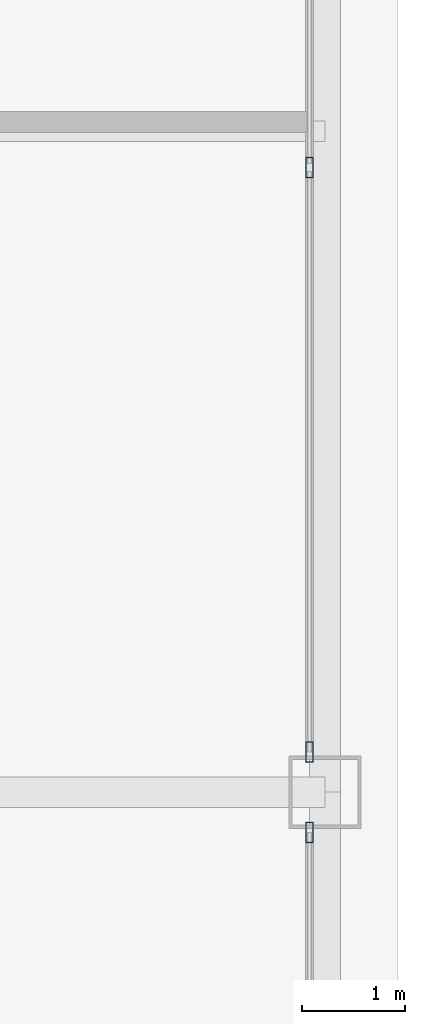
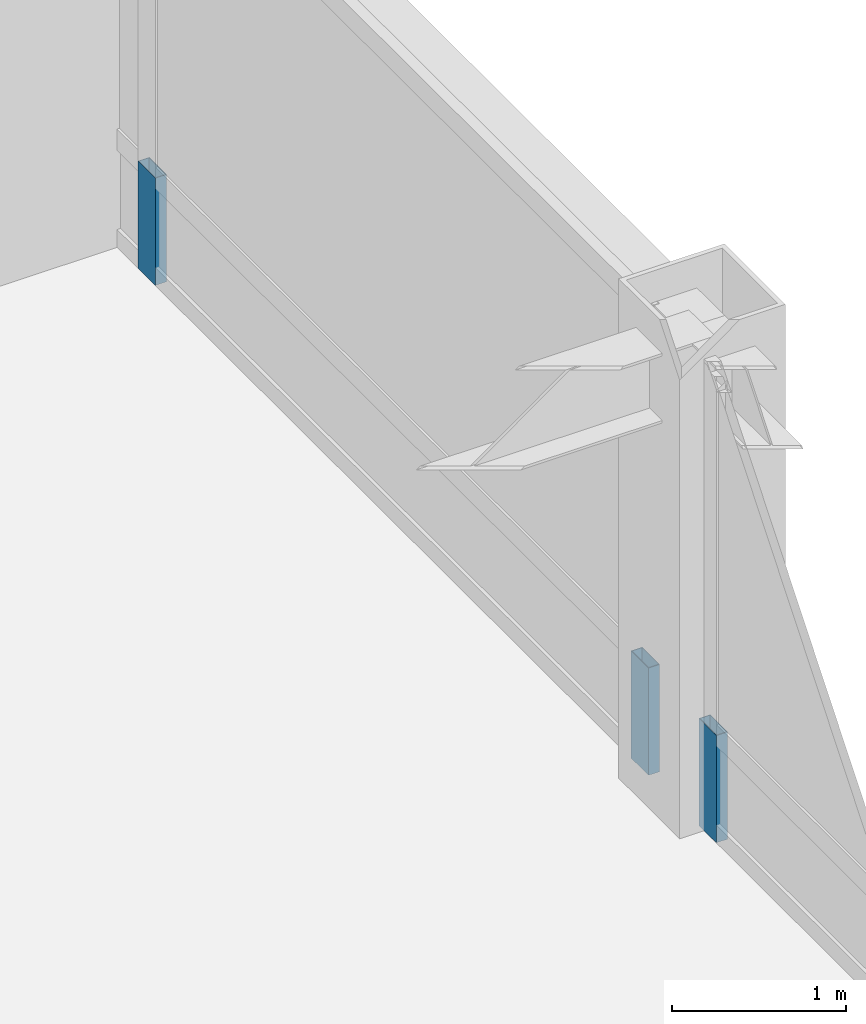
# One storey, part 23 of 33: 3 members, 2 elements without a shape of their own.
"""IFC4 building model written with IfcOpenShell, lengths in metres."""

from ifc_helpers import new_model, si_unit, direction, frame, origin, origin_2d, place, context, subcontext, project, spatial, hollow_rectangle, extrude, source, transform, mapped, material, layer, layer_set, material_profile, profile_set, type_object, element, aggregate, save


model = new_model("IFC4")

# Units and contexts
model_context = context("Model", 3, precision=1e-05, world=origin(), true_north=direction((0.0, 1.0)))
body_context = subcontext(model_context, "Body", "Model", "MODEL_VIEW")
ifc_project = project(units=[si_unit("LENGTHUNIT", "METRE"), si_unit("AREAUNIT", "SQUARE_METRE"), si_unit("VOLUMEUNIT", "CUBIC_METRE"), si_unit("PLANEANGLEUNIT", "RADIAN"), si_unit("MASSUNIT", "GRAM", prefix="KILO"), si_unit("THERMODYNAMICTEMPERATUREUNIT", "KELVIN"), si_unit("POWERUNIT", "WATT")], contexts=[model_context])

# Site, building, storey
site_placement = place(None, origin())
site = spatial("IfcSite", under=ifc_project, at=site_placement, CompositionType="ELEMENT")
building_placement = place(site_placement, origin())
building = spatial("IfcBuilding", under=site, at=building_placement, Name="Yuzanri Waterfront Tower", CompositionType="ELEMENT")
storey_placement = place(building_placement, frame((0.0, 0.0, 321.699951171875)))
storey = spatial("IfcBuildingStorey", under=building, at=storey_placement, Name="L86", CompositionType="ELEMENT", Elevation=321.699951171875)

# Curtain wall, member
ifc_material_1 = material(Name="Anodized Architectural Bronze", Category="metal")
ifc_layer = layer(ifc_material_1, 0.159912109375)
ifc_layer_set = layer_set([ifc_layer], Name="Anodized Architectural Bronze")
curtain_wall_type = type_object("IfcCurtainWallType", Name="Anodized Bronze High-Rise Penthouse High-Wind Unitized Curtain Wall 6900", PredefinedType="NOTDEFINED", material=ifc_layer_set)
curtain_wall_1_placement = place(storey_placement, origin())
curtain_wall_1 = element("IfcCurtainWall", 1, at=curtain_wall_1_placement, inside=storey, type_object=curtain_wall_type, Name="L86 Curtain Wall CW-L86-EL", PredefinedType="NOTDEFINED")
ifc_material_2 = material(Name="Anodized Architectural Bronze", Category="metal")
ifc_material_profile = material_profile(ifc_material_2, hollow_rectangle(XDim=0.074951171875, YDim=0.199951171875, WallThickness=0.00390625, at=origin_2d()), Name="CWM 75x200")
ifc_profile_set = profile_set([ifc_material_profile], Name="Anodized Architectural Bronze")
member_type = type_object("IfcMemberType", Name="Anodized Bronze Primary Curtain-Wall Mullion 75x200", PredefinedType="MULLION", material=ifc_profile_set)
shared_shape = source(origin(), body_context, "Body", "SweptSolid", [
    extrude(hollow_rectangle(XDim=0.074951171875, YDim=0.199951171875, WallThickness=0.00390625, at=origin_2d()), origin(), (0.0, 0.0, 1.0), 0.751953125),
])
member_1_placement = place(storey_placement, frame((55.949951171875, 25.409912109375, 0.0), z_axis=(0.0, 0.0, 1.0), x_axis=(1.0, 0.0, 0.0)))
member_1 = element("IfcMember", 2, at=member_1_placement, type_object=member_type, Name="CW-L86-EL Lower Mullion 02", PredefinedType="MULLION", context=body_context, shape_type="MappedRepresentation", body=[
    mapped(shared_shape, transform((0.0, 0.0, 0.0), scale=1.0)),
])
aggregate(curtain_wall_1, [member_1])

# Curtain wall, members
curtain_wall_2_placement = place(storey_placement, origin())
curtain_wall_2 = element("IfcCurtainWall", 3, at=curtain_wall_2_placement, inside=storey, type_object=curtain_wall_type, Name="L86 Curtain Wall CW-L86-ER", PredefinedType="NOTDEFINED")
member_2_placement = place(storey_placement, frame((55.949951171875, 26.18994140625, 0.0), z_axis=(0.0, 0.0, 1.0), x_axis=(1.0, 0.0, 0.0)))
member_2 = element("IfcMember", 4, at=member_2_placement, type_object=member_type, Name="CW-L86-ER Lower Mullion 00", PredefinedType="MULLION", context=body_context, shape_type="MappedRepresentation", body=[
    mapped(shared_shape, transform((0.0, 0.0, 0.0), scale=1.0)),
])
member_3_placement = place(storey_placement, frame((55.949951171875, 31.85009765625, 0.0), z_axis=(0.0, 0.0, 1.0), x_axis=(1.0, 0.0, 0.0)))
member_3 = element("IfcMember", 5, at=member_3_placement, type_object=member_type, Name="CW-L86-ER Lower Mullion 01", PredefinedType="MULLION", context=body_context, shape_type="MappedRepresentation", body=[
    mapped(shared_shape, transform((0.0, 0.0, 0.0), scale=1.0)),
])
aggregate(curtain_wall_2, [member_2, member_3])

save(model, "model.ifc")
